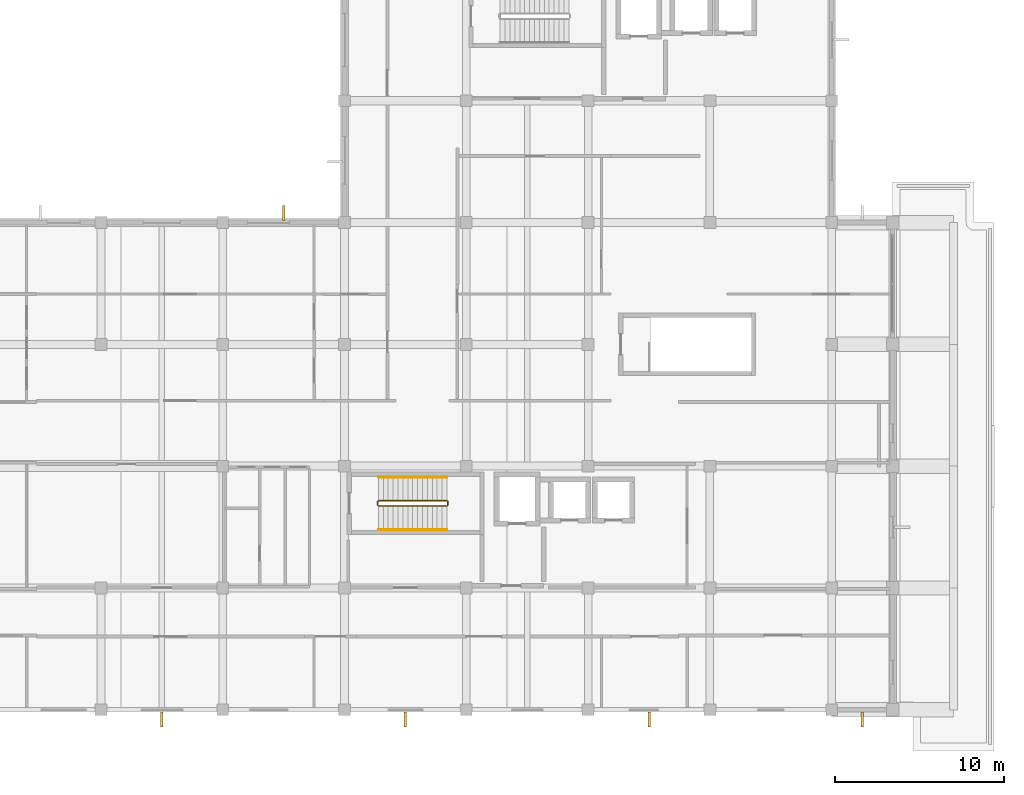
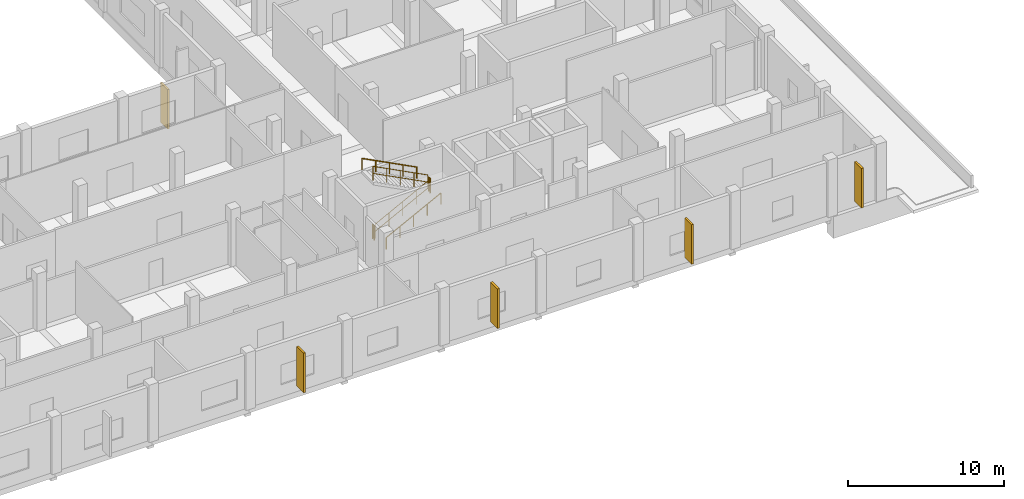
# One storey, part 21 of 24: 6 railings, 5 shading devices.
"""IFC4 building model written with IfcOpenShell, lengths in metres."""

from ifc_helpers import new_model, si_unit, direction, frame, origin, origin_2d, place, context, subcontext, project, spatial, rectangle, circle, extrude, material, type_object, element, save


model = new_model("IFC4")

# Units and contexts
model_context = context("Model", 3, precision=1e-05, world=origin(), true_north=direction((0.0, 1.0)))
body_context = subcontext(model_context, "Body", "Model", "MODEL_VIEW")
ifc_project = project(units=[si_unit("LENGTHUNIT", "METRE"), si_unit("AREAUNIT", "SQUARE_METRE"), si_unit("VOLUMEUNIT", "CUBIC_METRE"), si_unit("PLANEANGLEUNIT", "RADIAN"), si_unit("MASSUNIT", "GRAM", prefix="KILO")], contexts=[model_context])

# Site, building, storey
site_placement = place(None, origin())
site = spatial("IfcSite", under=ifc_project, at=site_placement, CompositionType="ELEMENT")
building_placement = place(site_placement, origin())
building = spatial("IfcBuilding", under=site, at=building_placement, Name="Seraya Terrace Polytechnic", CompositionType="ELEMENT")
storey_placement = place(building_placement, frame((0.0, 0.0, 18.89990234375)))
storey = spatial("IfcBuildingStorey", under=building, at=storey_placement, Name="L04", CompositionType="ELEMENT", Elevation=18.89990234375)

# Shading devices
ifc_material_1 = material(Name="Precast concrete C40/50", Category="concrete")
shading_device_type = type_object("IfcShadingDeviceType", Name="BS-F1", PredefinedType="JALOUSIE", material=ifc_material_1)
for number, where, z_axis, x_axis, name in (
    (1, (109.800048828125, -0.570068359375, 0.449951171875), (0.0, 0.0, 1.0), (0.0, -1.0, 0.0), "Precast concrete brise-soleil fin L04"),
    (2, (97.199951171875, -0.570068359375, 0.449951171875), (0.0, 0.0, 1.0), (0.0, -1.0, 0.0), "Precast concrete brise-soleil fin L04"),
    (3, (82.800048828125, -0.570068359375, 0.449951171875), (0.0, 0.0, 1.0), (0.0, -1.0, 0.0), "Precast concrete brise-soleil fin L04"),
    (4, (68.39990234375, -0.570068359375, 0.449951171875), (0.0, 0.0, 1.0), (0.0, -1.0, 0.0), "Precast concrete brise-soleil fin L04"),
    (5, (75.60009765625, 29.3701171875, 0.449951171875), (0.0, 0.0, 1.0), (0.0, 1.0, 0.0), "Precast concrete brise-soleil fin L04"),
):
    element("IfcShadingDevice", number, at=place(storey_placement, frame(where, z_axis=z_axis, x_axis=x_axis)), inside=storey, type_object=shading_device_type, Name=name, PredefinedType="JALOUSIE", context=body_context, shape_type="SweptSolid", body=[
        extrude(rectangle(XDim=0.89990234375, YDim=0.14990234375, at=origin_2d()), origin(), (0.0, 0.0, 1.0), 3.10009765625),
    ])

# Railings
ifc_material_2 = material(Name="Steel S355J2", Category="steel")
railing_type_1 = type_object("IfcRailingType", Name="GR-02", PredefinedType="GUARDRAIL", material=ifc_material_2)
railing_1_placement = place(storey_placement, frame((81.199951171875, 12.050048828125, 0.150146484375)))
element("IfcRailing", 6, at=railing_1_placement, inside=storey, type_object=railing_type_1, Name="L04 ST-01 stair guard 1", PredefinedType="GUARDRAIL", context=body_context, shape_type="SweptSolid", body=[
    extrude(circle(Radius=0.02392578125, at=origin_2d()), frame((0.0, 0.0, 1.10595703125), z_axis=(0.888233425583, 0.0, 0.459392404897), x_axis=(0.0, 1.0, 0.0)), (0.0, 0.0, 1.0), 4.571044921875),
    extrude(circle(Radius=0.02392578125, at=origin_2d()), frame((0.0, 0.0, 0.550048828125), z_axis=(0.888233425583, 0.0, 0.459392404897), x_axis=(0.0, 1.0, 0.0)), (0.0, 0.0, 1.0), 4.571044921875),
    extrude(circle(Radius=0.02099609375, at=origin_2d()), origin(), (0.0, 0.0, 1.0), 1.081787109375),
    extrude(circle(Radius=0.02099609375, at=origin_2d()), frame((1.01513671875, 0.0, 0.52490234375)), (0.0, 0.0, 1.0), 1.081787109375),
    extrude(circle(Radius=0.02099609375, at=origin_2d()), frame((2.030029296875, 0.0, 1.0498046875)), (0.0, 0.0, 1.0), 1.081787109375),
    extrude(circle(Radius=0.02099609375, at=origin_2d()), frame((3.044921875, 0.0, 1.574951171875)), (0.0, 0.0, 1.0), 1.081787109375),
    extrude(circle(Radius=0.02099609375, at=origin_2d()), frame((4.06005859375, 0.0, 2.099853515625)), (0.0, 0.0, 1.0), 1.081787109375),
])
railing_2_placement = place(storey_placement, frame((85.31005859375, 12.10009765625, 2.25)))
element("IfcRailing", 7, at=railing_2_placement, inside=storey, type_object=railing_type_1, Name="L04 ST-01 stair guard 2", PredefinedType="GUARDRAIL", context=body_context, shape_type="SweptSolid", body=[
    extrude(circle(Radius=0.02392578125, at=origin_2d()), frame((0.0, 0.0, 1.10595703125), z_axis=(0.0, 1.0, 0.0), x_axis=(-1.0, 0.0, 0.0)), (0.0, 0.0, 1.0), 0.199951171875),
    extrude(circle(Radius=0.02392578125, at=origin_2d()), frame((0.0, 0.0, 0.550048828125), z_axis=(0.0, 1.0, 0.0), x_axis=(-1.0, 0.0, 0.0)), (0.0, 0.0, 1.0), 0.199951171875),
    extrude(circle(Radius=0.02099609375, at=origin_2d()), origin(), (0.0, 0.0, 1.0), 1.081787109375),
    extrude(circle(Radius=0.02099609375, at=origin_2d()), frame((0.0, 0.199951171875, 0.0)), (0.0, 0.0, 1.0), 1.081787109375),
])
railing_3_placement = place(storey_placement, frame((85.260009765625, 12.35009765625, 2.400146484375)))
element("IfcRailing", 8, at=railing_3_placement, inside=storey, type_object=railing_type_1, Name="L04 ST-01 stair guard 3", PredefinedType="GUARDRAIL", context=body_context, shape_type="SweptSolid", body=[
    extrude(circle(Radius=0.02392578125, at=origin_2d()), frame((0.0, 0.0, 1.10595703125), z_axis=(-0.888233425583, 0.0, 0.459392404897), x_axis=(0.0, -1.0, 0.0)), (0.0, 0.0, 1.0), 4.571044921875),
    extrude(circle(Radius=0.02392578125, at=origin_2d()), frame((0.0, 0.0, 0.550048828125), z_axis=(-0.888233425583, 0.0, 0.459392404897), x_axis=(0.0, -1.0, 0.0)), (0.0, 0.0, 1.0), 4.571044921875),
    extrude(circle(Radius=0.02099609375, at=origin_2d()), origin(), (0.0, 0.0, 1.0), 1.081787109375),
    extrude(circle(Radius=0.02099609375, at=origin_2d()), frame((-1.01513671875, 0.0, 0.52490234375)), (0.0, 0.0, 1.0), 1.081787109375),
    extrude(circle(Radius=0.02099609375, at=origin_2d()), frame((-2.030029296875, 0.0, 1.0498046875)), (0.0, 0.0, 1.0), 1.081787109375),
    extrude(circle(Radius=0.02099609375, at=origin_2d()), frame((-3.044921875, 0.0, 1.574951171875)), (0.0, 0.0, 1.0), 1.081787109375),
    extrude(circle(Radius=0.02099609375, at=origin_2d()), frame((-4.06005859375, 0.0, 2.099853515625)), (0.0, 0.0, 1.0), 1.081787109375),
])
railing_4_placement = place(storey_placement, frame((81.14990234375, 12.10009765625, 0.0)))
element("IfcRailing", 9, at=railing_4_placement, inside=storey, type_object=railing_type_1, Name="L04 ST-01 stair guard 4", PredefinedType="GUARDRAIL", context=body_context, shape_type="SweptSolid", body=[
    extrude(circle(Radius=0.02392578125, at=origin_2d()), frame((0.0, 0.0, 1.10595703125), z_axis=(0.0, 1.0, 0.0), x_axis=(-1.0, 0.0, 0.0)), (0.0, 0.0, 1.0), 0.199951171875),
    extrude(circle(Radius=0.02392578125, at=origin_2d()), frame((0.0, 0.0, 0.550048828125), z_axis=(0.0, 1.0, 0.0), x_axis=(-1.0, 0.0, 0.0)), (0.0, 0.0, 1.0), 0.199951171875),
    extrude(circle(Radius=0.02099609375, at=origin_2d()), origin(), (0.0, 0.0, 1.0), 1.081787109375),
    extrude(circle(Radius=0.02099609375, at=origin_2d()), frame((0.0, 0.199951171875, 0.0)), (0.0, 0.0, 1.0), 1.081787109375),
])
railing_type_2 = type_object("IfcRailingType", Name="HR-01", PredefinedType="HANDRAIL", material=ifc_material_2)
railing_5_placement = place(storey_placement, frame((81.199951171875, 10.64990234375, 0.150146484375)))
element("IfcRailing", 10, at=railing_5_placement, inside=storey, type_object=railing_type_2, Name="L04 ST-01 stair handrail 1", PredefinedType="HANDRAIL", context=body_context, shape_type="SweptSolid", body=[
    extrude(circle(Radius=0.02392578125, at=origin_2d()), frame((0.0, 0.0, 0.8759765625), z_axis=(0.888233425583, 0.0, 0.459392404897), x_axis=(0.0, 1.0, 0.0)), (0.0, 0.0, 1.0), 4.571044921875),
    extrude(circle(Radius=0.02099609375, at=origin_2d()), origin(), (0.0, 0.0, 1.0), 0.851806640625),
    extrude(circle(Radius=0.02099609375, at=origin_2d()), frame((1.01513671875, 0.0, 0.52490234375)), (0.0, 0.0, 1.0), 0.851806640625),
    extrude(circle(Radius=0.02099609375, at=origin_2d()), frame((2.030029296875, 0.0, 1.0498046875)), (0.0, 0.0, 1.0), 0.851806640625),
    extrude(circle(Radius=0.02099609375, at=origin_2d()), frame((3.044921875, 0.0, 1.574951171875)), (0.0, 0.0, 1.0), 0.851806640625),
    extrude(circle(Radius=0.02099609375, at=origin_2d()), frame((4.06005859375, 0.0, 2.099853515625)), (0.0, 0.0, 1.0), 0.851806640625),
])
railing_6_placement = place(storey_placement, frame((85.260009765625, 13.75, 2.400146484375)))
element("IfcRailing", 11, at=railing_6_placement, inside=storey, type_object=railing_type_2, Name="L04 ST-01 stair handrail 2", PredefinedType="HANDRAIL", context=body_context, shape_type="SweptSolid", body=[
    extrude(circle(Radius=0.02392578125, at=origin_2d()), frame((0.0, 0.0, 0.8759765625), z_axis=(-0.888233425583, 0.0, 0.459392404897), x_axis=(0.0, -1.0, 0.0)), (0.0, 0.0, 1.0), 4.571044921875),
    extrude(circle(Radius=0.02099609375, at=origin_2d()), origin(), (0.0, 0.0, 1.0), 0.851806640625),
    extrude(circle(Radius=0.02099609375, at=origin_2d()), frame((-1.01513671875, 0.0, 0.52490234375)), (0.0, 0.0, 1.0), 0.851806640625),
    extrude(circle(Radius=0.02099609375, at=origin_2d()), frame((-2.030029296875, 0.0, 1.0498046875)), (0.0, 0.0, 1.0), 0.851806640625),
    extrude(circle(Radius=0.02099609375, at=origin_2d()), frame((-3.044921875, 0.0, 1.574951171875)), (0.0, 0.0, 1.0), 0.851806640625),
    extrude(circle(Radius=0.02099609375, at=origin_2d()), frame((-4.06005859375, 0.0, 2.099853515625)), (0.0, 0.0, 1.0), 0.851806640625),
])

save(model, "model.ifc")
